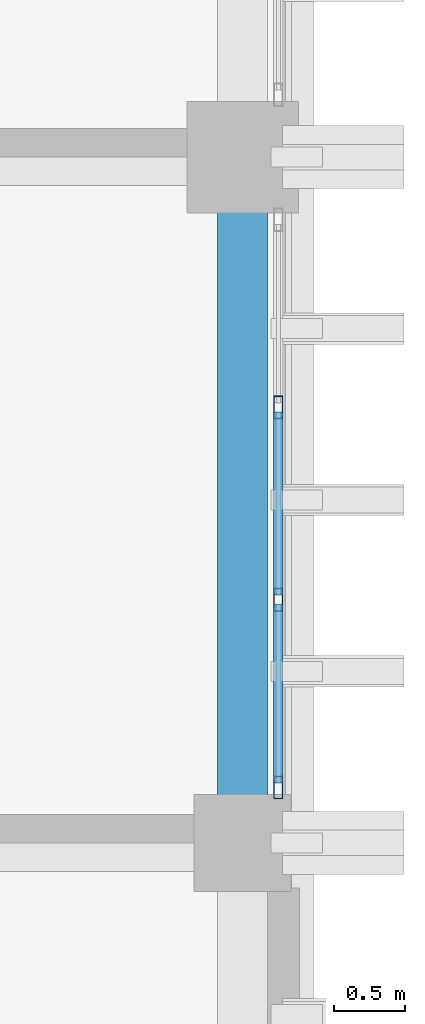
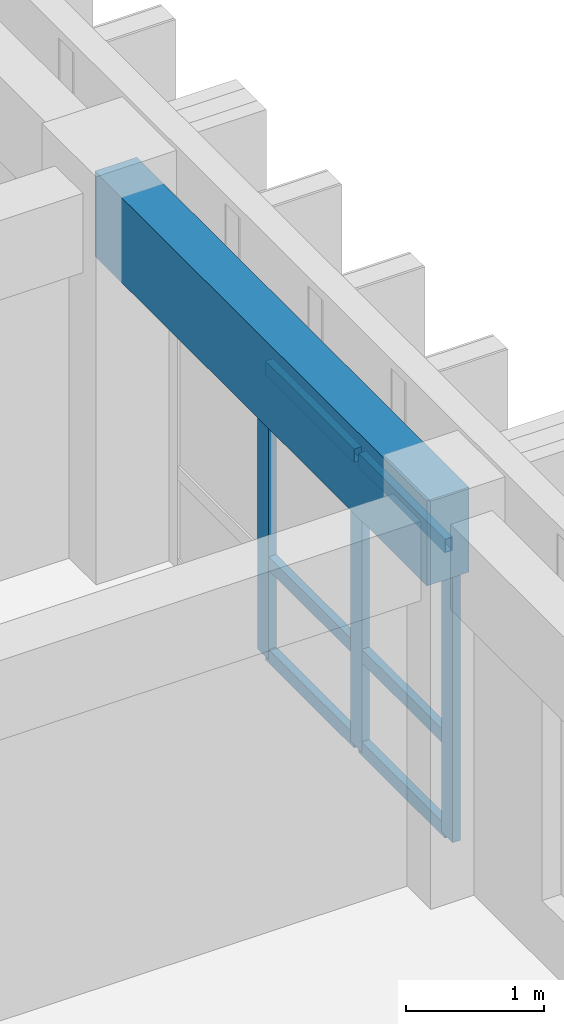
# One storey, part 41 of 68: 9 members, 1 beam, 1 element without a shape of its own.
"""IFC4 building model written with IfcOpenShell, lengths in metres."""

from ifc_helpers import new_model, si_unit, direction, frame, origin, origin_2d, place, context, subcontext, project, spatial, rectangle, hollow_rectangle, extrude, material, layer, layer_set, material_profile, profile_set, type_object, element, aggregate, save


model = new_model("IFC4")

# Units and contexts
model_context = context("Model", 3, precision=1e-05, world=origin(), true_north=direction((0.0, 1.0)))
body_context = subcontext(model_context, "Body", "Model", "MODEL_VIEW")
ifc_project = project(units=[si_unit("LENGTHUNIT", "METRE"), si_unit("AREAUNIT", "SQUARE_METRE"), si_unit("VOLUMEUNIT", "CUBIC_METRE"), si_unit("PLANEANGLEUNIT", "RADIAN"), si_unit("MASSUNIT", "GRAM", prefix="KILO")], contexts=[model_context])

# Site, building, storey
site_placement = place(None, origin())
site = spatial("IfcSite", under=ifc_project, at=site_placement, CompositionType="ELEMENT")
building_placement = place(site_placement, origin())
building = spatial("IfcBuilding", under=site, at=building_placement, Name="Nakhvara Creek Congress Hotel", CompositionType="ELEMENT")
storey_placement = place(building_placement, frame((0.0, 0.0, 24.60009765625)))
storey = spatial("IfcBuildingStorey", under=building, at=storey_placement, Name="L05", CompositionType="ELEMENT", Elevation=24.60009765625)

# Beam
ifc_material_1 = material(Name="Concrete C40/50", Category="concrete")
ifc_material_profile_1 = material_profile(ifc_material_1, rectangle(XDim=0.35009765625, YDim=0.75, at=origin_2d()), Name="RC-SPANDREL 350x750", Category="LoadBearing")
ifc_profile_set_1 = profile_set([ifc_material_profile_1], Name="Concrete C40/50")
beam_type = type_object("IfcBeamType", Name="BM-SPN-350X750", PredefinedType="SPANDREL", material=ifc_profile_set_1)
beam_placement = place(storey_placement, frame((179.35009765625, 100.800048828125, 2.96484375), z_axis=(0.0, 1.0, 0.0), x_axis=(-1.0, 0.0, 0.0)))
element("IfcBeam", 1, at=beam_placement, inside=storey, type_object=beam_type, Name="Beam SP1-L05-2162", PredefinedType="SPANDREL", context=body_context, shape_type="SweptSolid", body=[
    extrude(rectangle(XDim=0.35009765625, YDim=0.75, at=origin_2d()), origin(), (0.0, 0.0, 1.0), 4.800048828125),
])

# Curtain wall, members
ifc_material_2 = material(Name="Bronze-anodised aluminium AW-6063-T6 and double-silver low-E glass", Category="aluminium")
ifc_layer = layer(ifc_material_2, 0.199951171875)
ifc_layer_set = layer_set([ifc_layer], Name="Bronze-anodised aluminium AW-6063-T6 and double-silver low-E glass")
curtain_wall_type = type_object("IfcCurtainWallType", Name="CW-HTL-UNIT", PredefinedType="USERDEFINED", material=ifc_layer_set)
curtain_wall_placement = place(storey_placement, origin())
curtain_wall = element("IfcCurtainWall", 2, at=curtain_wall_placement, inside=storey, type_object=curtain_wall_type, Name="Curtain Wall CW222", ObjectType="UNITISED", PredefinedType="USERDEFINED")
ifc_material_3 = material(Name="Bronze-anodised aluminium AW-6063-T6", Category="aluminium")
ifc_material_profile_2 = material_profile(ifc_material_3, hollow_rectangle(XDim=0.06494140625, YDim=0.159912109375, WallThickness=0.00390625, at=origin_2d()), Name="ALU-MULL 65x160x4", Category="LoadBearing")
ifc_profile_set_2 = profile_set([ifc_material_profile_2], Name="Bronze-anodised aluminium AW-6063-T6")
member_type_1 = type_object("IfcMemberType", Name="CW-MULL-160", PredefinedType="MULLION", material=ifc_profile_set_2)
member_1_placement = place(storey_placement, frame((179.60009765625, 103.848388671875, 0.0), z_axis=(0.0, 0.0, 1.0), x_axis=(1.0, 0.0, 0.0)))
member_1 = element("IfcMember", 3, at=member_1_placement, type_object=member_type_1, Name="CW222 mullion 2", PredefinedType="MULLION", context=body_context, shape_type="SweptSolid", body=[
    extrude(hollow_rectangle(XDim=0.06494140625, YDim=0.159912109375, WallThickness=0.00390625, at=origin_2d()), origin(), (0.0, 0.0, 1.0), 2.581787109375),
])
member_2_placement = place(storey_placement, frame((179.60009765625, 102.501708984375, 0.0), z_axis=(0.0, 0.0, 1.0), x_axis=(1.0, 0.0, 0.0)))
member_2 = element("IfcMember", 4, at=member_2_placement, type_object=member_type_1, Name="CW222 mullion 3", PredefinedType="MULLION", context=body_context, shape_type="SweptSolid", body=[
    extrude(hollow_rectangle(XDim=0.06494140625, YDim=0.159912109375, WallThickness=0.00390625, at=origin_2d()), origin(), (0.0, 0.0, 1.0), 2.581787109375),
])
member_3_placement = place(storey_placement, frame((179.60009765625, 101.1875, 0.0), z_axis=(0.0, 0.0, 1.0), x_axis=(1.0, 0.0, 0.0)))
member_3 = element("IfcMember", 5, at=member_3_placement, type_object=member_type_1, Name="CW222 mullion 4", PredefinedType="MULLION", context=body_context, shape_type="SweptSolid", body=[
    extrude(hollow_rectangle(XDim=0.06494140625, YDim=0.159912109375, WallThickness=0.00390625, at=origin_2d()), origin(), (0.0, 0.0, 1.0), 2.581787109375),
])
ifc_material_profile_3 = material_profile(ifc_material_3, hollow_rectangle(XDim=0.06494140625, YDim=0.1201171875, WallThickness=0.00390625, at=origin_2d()), Name="ALU-TRAN 65x120x4", Category="LoadBearing")
ifc_profile_set_3 = profile_set([ifc_material_profile_3], Name="Bronze-anodised aluminium AW-6063-T6")
member_type_2 = type_object("IfcMemberType", Name="CW-TRAN-120", PredefinedType="USERDEFINED", material=ifc_profile_set_3)
member_4_placement = place(storey_placement, frame((179.60009765625, 103.81591796875, 0.032470703125), z_axis=(0.0, -1.0, 0.0), x_axis=(1.0, 0.0, 0.0)))
member_4 = element("IfcMember", 6, at=member_4_placement, type_object=member_type_2, Name="CW222 transom 2.1", ObjectType="TRANSOM", PredefinedType="USERDEFINED", context=body_context, shape_type="SweptSolid", body=[
    extrude(hollow_rectangle(XDim=0.06494140625, YDim=0.1201171875, WallThickness=0.00390625, at=origin_2d()), origin(), (0.0, 0.0, 1.0), 1.28173828125),
])
member_5_placement = place(storey_placement, frame((179.60009765625, 103.81591796875, 0.849853515625), z_axis=(0.0, -1.0, 0.0), x_axis=(1.0, 0.0, 0.0)))
member_5 = element("IfcMember", 7, at=member_5_placement, type_object=member_type_2, Name="CW222 transom 2.2", ObjectType="TRANSOM", PredefinedType="USERDEFINED", context=body_context, shape_type="SweptSolid", body=[
    extrude(hollow_rectangle(XDim=0.06494140625, YDim=0.1201171875, WallThickness=0.00390625, at=origin_2d()), origin(), (0.0, 0.0, 1.0), 1.28173828125),
])
member_6_placement = place(storey_placement, frame((179.60009765625, 103.81591796875, 2.54931640625), z_axis=(0.0, -1.0, 0.0), x_axis=(1.0, 0.0, 0.0)))
member_6 = element("IfcMember", 8, at=member_6_placement, type_object=member_type_2, Name="CW222 transom 2.3", ObjectType="TRANSOM", PredefinedType="USERDEFINED", context=body_context, shape_type="SweptSolid", body=[
    extrude(hollow_rectangle(XDim=0.06494140625, YDim=0.1201171875, WallThickness=0.00390625, at=origin_2d()), origin(), (0.0, 0.0, 1.0), 1.28173828125),
])
member_7_placement = place(storey_placement, frame((179.60009765625, 102.46923828125, 0.032470703125), z_axis=(0.0, -1.0, 0.0), x_axis=(1.0, 0.0, 0.0)))
member_7 = element("IfcMember", 9, at=member_7_placement, type_object=member_type_2, Name="CW222 transom 3.1", ObjectType="TRANSOM", PredefinedType="USERDEFINED", context=body_context, shape_type="SweptSolid", body=[
    extrude(hollow_rectangle(XDim=0.06494140625, YDim=0.1201171875, WallThickness=0.00390625, at=origin_2d()), origin(), (0.0, 0.0, 1.0), 1.249267578125),
])
member_8_placement = place(storey_placement, frame((179.60009765625, 102.46923828125, 0.849853515625), z_axis=(0.0, -1.0, 0.0), x_axis=(1.0, 0.0, 0.0)))
member_8 = element("IfcMember", 10, at=member_8_placement, type_object=member_type_2, Name="CW222 transom 3.2", ObjectType="TRANSOM", PredefinedType="USERDEFINED", context=body_context, shape_type="SweptSolid", body=[
    extrude(hollow_rectangle(XDim=0.06494140625, YDim=0.1201171875, WallThickness=0.00390625, at=origin_2d()), origin(), (0.0, 0.0, 1.0), 1.249267578125),
])
member_9_placement = place(storey_placement, frame((179.60009765625, 102.46923828125, 2.54931640625), z_axis=(0.0, -1.0, 0.0), x_axis=(1.0, 0.0, 0.0)))
member_9 = element("IfcMember", 11, at=member_9_placement, type_object=member_type_2, Name="CW222 transom 3.3", ObjectType="TRANSOM", PredefinedType="USERDEFINED", context=body_context, shape_type="SweptSolid", body=[
    extrude(hollow_rectangle(XDim=0.06494140625, YDim=0.1201171875, WallThickness=0.00390625, at=origin_2d()), origin(), (0.0, 0.0, 1.0), 1.249267578125),
])
aggregate(curtain_wall, [member_1, member_2, member_3, member_4, member_5, member_6, member_7, member_8, member_9])

save(model, "model.ifc")
